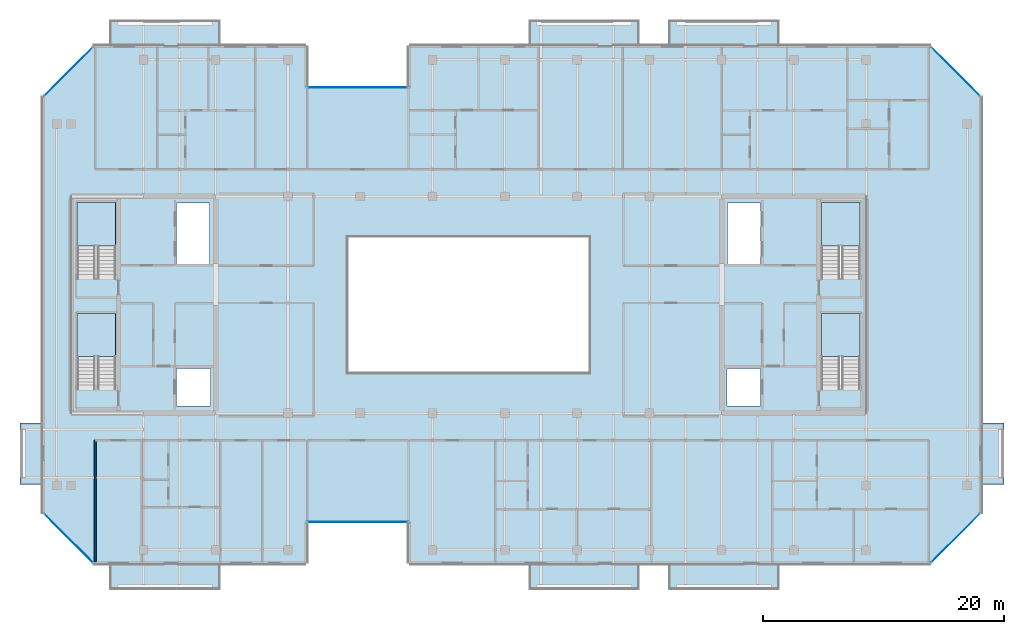
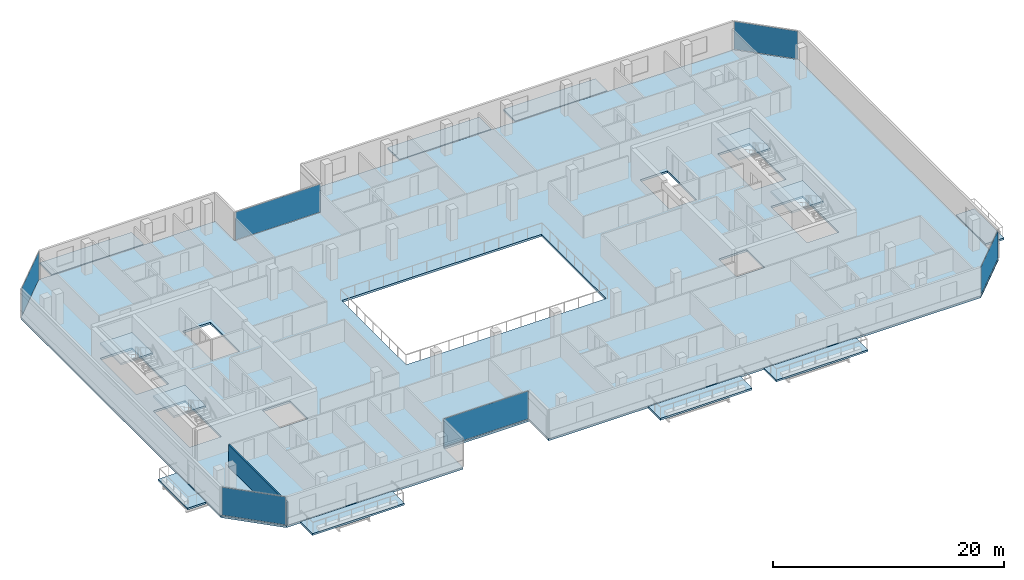
# One storey, part 17 of 28: 13 slabs, 6 plates, 1 wall, 10 elements without a shape of their own.
"""IFC4 building model written with IfcOpenShell, lengths in metres."""

from ifc_helpers import new_model, si_unit, direction, frame, frame_2d, origin, origin_2d, place, context, subcontext, project, spatial, polyline, rectangle, outline, extrude, material, layer, layer_set, type_object, element, aggregate, save


model = new_model("IFC4")

# Units and contexts
model_context = context("Model", 3, precision=1e-05, world=origin(), true_north=direction((0.0, 1.0)))
body_context = subcontext(model_context, "Body", "Model", "MODEL_VIEW")
ifc_project = project(units=[si_unit("LENGTHUNIT", "METRE"), si_unit("AREAUNIT", "SQUARE_METRE"), si_unit("VOLUMEUNIT", "CUBIC_METRE"), si_unit("PLANEANGLEUNIT", "RADIAN"), si_unit("MASSUNIT", "GRAM", prefix="KILO")], contexts=[model_context])

# Site, building, storey
site_placement = place(None, origin())
site = spatial("IfcSite", under=ifc_project, at=site_placement, CompositionType="ELEMENT")
building_placement = place(site_placement, origin())
building = spatial("IfcBuilding", under=site, at=building_placement, Name="Tanjung Sevakor Pilgrim Tower", CompositionType="ELEMENT")
storey_placement = place(building_placement, frame((0.0, 0.0, 222.75)))
storey = spatial("IfcBuildingStorey", under=building, at=storey_placement, Name="L62", CompositionType="ELEMENT", Elevation=222.75)

# Slabs
ifc_material_1 = material(Name="Concrete C40/50", Category="concrete")
ifc_layer_1 = layer(ifc_material_1, 0.199951171875)
ifc_layer_set_1 = layer_set([ifc_layer_1], Name="SL-BAL-200")
slab_type_1 = type_object("IfcSlabType", Name="SL-BAL-200", PredefinedType="FLOOR", material=ifc_layer_set_1)
slab_1_placement = place(storey_placement, frame((0.0, 0.0, -0.199951171875)))
element("IfcSlab", 1, at=slab_1_placement, inside=storey, type_object=slab_type_1, Name="L62 Planted Loggia Balcony MAIN-S1", PredefinedType="FLOOR", context=body_context, shape_type="SweptSolid", body=[
    extrude(outline(polyline([(27.199951171875, 9.949951171875), (36.39990234375, 9.949951171875), (36.39990234375, 12.050048828125), (27.199951171875, 12.050048828125), (27.199951171875, 9.949951171875)])), origin(), (0.0, 0.0, 1.0), 0.199951171875),
])
slab_2_placement = place(storey_placement, frame((0.0, 0.0, -0.199951171875)))
element("IfcSlab", 2, at=slab_2_placement, inside=storey, type_object=slab_type_1, Name="L62 Planted Loggia Balcony MAIN-N1", PredefinedType="FLOOR", context=body_context, shape_type="SweptSolid", body=[
    extrude(outline(polyline([(27.199951171875, 55.14990234375), (36.39990234375, 55.14990234375), (36.39990234375, 57.25), (27.199951171875, 57.25), (27.199951171875, 55.14990234375)])), origin(), (0.0, 0.0, 1.0), 0.199951171875),
])
slab_3_placement = place(storey_placement, frame((0.0, 0.0, -0.199951171875)))
element("IfcSlab", 3, at=slab_3_placement, inside=storey, type_object=slab_type_1, Name="L62 Planted Loggia Balcony MAIN-S2", PredefinedType="FLOOR", context=body_context, shape_type="SweptSolid", body=[
    extrude(outline(polyline([(62.0, 9.949951171875), (71.199951171875, 9.949951171875), (71.199951171875, 12.050048828125), (62.0, 12.050048828125), (62.0, 9.949951171875)])), origin(), (0.0, 0.0, 1.0), 0.199951171875),
])
slab_4_placement = place(storey_placement, frame((0.0, 0.0, -0.199951171875)))
element("IfcSlab", 4, at=slab_4_placement, inside=storey, type_object=slab_type_1, Name="L62 Planted Loggia Balcony MAIN-N2", PredefinedType="FLOOR", context=body_context, shape_type="SweptSolid", body=[
    extrude(outline(polyline([(62.0, 55.14990234375), (71.199951171875, 55.14990234375), (71.199951171875, 57.25), (62.0, 57.25), (62.0, 55.14990234375)])), origin(), (0.0, 0.0, 1.0), 0.199951171875),
])
slab_5_placement = place(storey_placement, frame((0.0, 0.0, -0.199951171875)))
element("IfcSlab", 5, at=slab_5_placement, inside=storey, type_object=slab_type_1, Name="L62 Planted Loggia Balcony MAIN-S3", PredefinedType="FLOOR", context=body_context, shape_type="SweptSolid", body=[
    extrude(outline(polyline([(73.60009765625, 9.949951171875), (82.800048828125, 9.949951171875), (82.800048828125, 12.050048828125), (73.60009765625, 12.050048828125), (73.60009765625, 9.949951171875)])), origin(), (0.0, 0.0, 1.0), 0.199951171875),
])
slab_6_placement = place(storey_placement, frame((0.0, 0.0, -0.199951171875)))
element("IfcSlab", 6, at=slab_6_placement, inside=storey, type_object=slab_type_1, Name="L62 Planted Loggia Balcony MAIN-N3", PredefinedType="FLOOR", context=body_context, shape_type="SweptSolid", body=[
    extrude(outline(polyline([(73.60009765625, 55.14990234375), (82.800048828125, 55.14990234375), (82.800048828125, 57.25), (73.60009765625, 57.25), (73.60009765625, 55.14990234375)])), origin(), (0.0, 0.0, 1.0), 0.199951171875),
])
slab_7_placement = place(storey_placement, frame((0.0, 0.0, -0.199951171875)))
element("IfcSlab", 7, at=slab_7_placement, inside=storey, type_object=slab_type_1, Name="L62 Planted Loggia Balcony MAIN-W1", PredefinedType="FLOOR", context=body_context, shape_type="SweptSolid", body=[
    extrude(outline(polyline([(19.75, 18.699951171875), (21.60009765625, 18.699951171875), (21.60009765625, 23.800048828125), (19.75, 23.800048828125), (19.75, 18.699951171875)])), origin(), (0.0, 0.0, 1.0), 0.199951171875),
])
slab_8_placement = place(storey_placement, frame((0.0, 0.0, -0.199951171875)))
element("IfcSlab", 8, at=slab_8_placement, inside=storey, type_object=slab_type_1, Name="L62 Planted Loggia Balcony MAIN-E1", PredefinedType="FLOOR", context=body_context, shape_type="SweptSolid", body=[
    extrude(outline(polyline([(99.60009765625, 18.699951171875), (101.449951171875, 18.699951171875), (101.449951171875, 23.800048828125), (99.60009765625, 23.800048828125), (99.60009765625, 18.699951171875)])), origin(), (0.0, 0.0, 1.0), 0.199951171875),
])

# Stair, slab
ifc_material_2 = material(Name="Concrete C40/50", Category="concrete")
stair_type = type_object("IfcStairType", Name="STAIR-ST-CR150", PredefinedType="HALF_TURN_STAIR", material=ifc_material_2)
stair_1_placement = place(storey_placement, origin())
stair_1 = element("IfcStair", 9, at=stair_1_placement, inside=storey, type_object=stair_type, Name="L62 West Core Exit Stair 1", PredefinedType="HALF_TURN_STAIR")
ifc_material_3 = material(Name="Concrete C40/50", Category="concrete")
ifc_layer_2 = layer(ifc_material_3, 0.199951171875)
ifc_layer_set_2 = layer_set([ifc_layer_2], Name="SL-LAND-200")
slab_type_2 = type_object("IfcSlabType", Name="SL-LAND-200", PredefinedType="LANDING", material=ifc_layer_set_2)
slab_9_placement = place(storey_placement, frame((0.0, 0.0, 1.449951171875)))
slab_9 = element("IfcSlab", 10, at=slab_9_placement, type_object=slab_type_2, Name="TS-W1 landing 1", PredefinedType="LANDING", context=body_context, shape_type="SweptSolid", body=[
    extrude(outline(polyline([(27.699951171875, 29.300048828125), (27.699951171875, 32.89990234375), (24.5, 32.89990234375), (24.5, 29.300048828125), (27.699951171875, 29.300048828125)])), origin(), (0.0, 0.0, 1.0), 0.199951171875),
])
aggregate(stair_1, [slab_9])

stair_2_placement = place(storey_placement, origin())
stair_2 = element("IfcStair", 11, at=stair_2_placement, inside=storey, type_object=stair_type, Name="L62 West Core Exit Stair 2", PredefinedType="HALF_TURN_STAIR")
slab_10_placement = place(storey_placement, frame((0.0, 0.0, 1.449951171875)))
slab_10 = element("IfcSlab", 12, at=slab_10_placement, type_object=slab_type_2, Name="TS-W2 landing 1", PredefinedType="LANDING", context=body_context, shape_type="SweptSolid", body=[
    extrude(outline(polyline([(27.699951171875, 38.5), (27.699951171875, 42.10009765625), (24.5, 42.10009765625), (24.5, 38.5), (27.699951171875, 38.5)])), origin(), (0.0, 0.0, 1.0), 0.199951171875),
])
aggregate(stair_2, [slab_10])

stair_3_placement = place(storey_placement, origin())
stair_3 = element("IfcStair", 13, at=stair_3_placement, inside=storey, type_object=stair_type, Name="L62 East Core Exit Stair 1", PredefinedType="HALF_TURN_STAIR")
slab_11_placement = place(storey_placement, frame((0.0, 0.0, 1.449951171875)))
slab_11 = element("IfcSlab", 14, at=slab_11_placement, type_object=slab_type_2, Name="TS-E1 landing 1", PredefinedType="LANDING", context=body_context, shape_type="SweptSolid", body=[
    extrude(outline(polyline([(89.5, 29.300048828125), (89.5, 32.89990234375), (86.300048828125, 32.89990234375), (86.300048828125, 29.300048828125), (89.5, 29.300048828125)])), origin(), (0.0, 0.0, 1.0), 0.199951171875),
])
aggregate(stair_3, [slab_11])

stair_4_placement = place(storey_placement, origin())
stair_4 = element("IfcStair", 15, at=stair_4_placement, inside=storey, type_object=stair_type, Name="L62 East Core Exit Stair 2", PredefinedType="HALF_TURN_STAIR")
slab_12_placement = place(storey_placement, frame((0.0, 0.0, 1.449951171875)))
slab_12 = element("IfcSlab", 16, at=slab_12_placement, type_object=slab_type_2, Name="TS-E2 landing 1", PredefinedType="LANDING", context=body_context, shape_type="SweptSolid", body=[
    extrude(outline(polyline([(89.5, 38.5), (89.5, 42.10009765625), (86.300048828125, 42.10009765625), (86.300048828125, 38.5), (89.5, 38.5)])), origin(), (0.0, 0.0, 1.0), 0.199951171875),
])
aggregate(stair_4, [slab_12])

# Slab
ifc_material_4 = material(Name="Concrete C40/50", Category="concrete")
ifc_layer_3 = layer(ifc_material_4, 0.219970703125)
ifc_layer_set_3 = layer_set([ifc_layer_3], Name="SL-TWR-220")
slab_type_3 = type_object("IfcSlabType", Name="SL-TWR-220", PredefinedType="FLOOR", material=ifc_layer_set_3)
slab_13_placement = place(storey_placement, frame((0.0, 0.0, -0.219970703125)))
element("IfcSlab", 17, at=slab_13_placement, inside=storey, type_object=slab_type_3, Name="L62 Floor Slab MAIN", PredefinedType="FLOOR", context=body_context, shape_type="SweptSolid", body=[
    extrude(outline(polyline([(25.846923828125, 12.1298828125), (43.52001953125, 12.1298828125), (43.52001953125, 15.530029296875), (52.080078125, 15.530029296875), (52.080078125, 12.1298828125), (95.35302734375, 12.1298828125), (99.52001953125, 16.296875), (99.52001953125, 50.903076171875), (95.35302734375, 55.070068359375), (52.080078125, 55.070068359375), (52.080078125, 51.669921875), (43.52001953125, 51.669921875), (43.52001953125, 55.070068359375), (25.846923828125, 55.070068359375), (21.679931640625, 50.903076171875), (21.679931640625, 16.296875), (25.846923828125, 12.1298828125)]), holes=[polyline([(27.699951171875, 26.60009765625), (27.699951171875, 32.89990234375), (24.5, 32.89990234375), (24.5, 26.60009765625), (27.699951171875, 26.60009765625)]), polyline([(27.699951171875, 35.800048828125), (27.699951171875, 42.10009765625), (24.5, 42.10009765625), (24.5, 35.800048828125), (27.699951171875, 35.800048828125)]), polyline([(89.5, 26.60009765625), (89.5, 32.89990234375), (86.300048828125, 32.89990234375), (86.300048828125, 26.60009765625), (89.5, 26.60009765625)]), polyline([(89.5, 35.800048828125), (89.5, 42.10009765625), (86.300048828125, 42.10009765625), (86.300048828125, 35.800048828125), (89.5, 35.800048828125)]), polyline([(32.75, 25.199951171875), (35.550048828125, 25.199951171875), (35.550048828125, 28.300048828125), (32.75, 28.300048828125), (32.75, 25.199951171875)]), polyline([(32.75, 37.0), (35.5, 37.0), (35.5, 42.050048828125), (32.75, 42.050048828125), (32.75, 37.0)]), polyline([(78.449951171875, 25.199951171875), (81.25, 25.199951171875), (81.25, 28.300048828125), (78.449951171875, 28.300048828125), (78.449951171875, 25.199951171875)]), polyline([(78.5, 37.0), (81.25, 37.0), (81.25, 42.050048828125), (78.5, 42.050048828125), (78.5, 37.0)]), polyline([(47.0, 28.0), (67.0, 28.0), (67.0, 39.199951171875), (47.0, 39.199951171875), (47.0, 28.0)])]), origin(), (0.0, 0.0, 1.0), 0.219970703125),
])

# Curtain wall, plate
ifc_material_5 = material(Name="Aluminium 6063-T6 and Low-E Glass", Category="aluminium")
ifc_layer_4 = layer(ifc_material_5, 0.179931640625)
ifc_layer_set_4 = layer_set([ifc_layer_4], Name="CW-SYS-CLEFT")
curtain_wall_type_1 = type_object("IfcCurtainWallType", Name="CW-SYS-CLEFT", PredefinedType="NOTDEFINED", material=ifc_layer_set_4)
curtain_wall_1_placement = place(storey_placement, origin())
curtain_wall_1 = element("IfcCurtainWall", 18, at=curtain_wall_1_placement, inside=storey, type_object=curtain_wall_type_1, Name="L62 Curtain Wall CW-CLF-L62-2", PredefinedType="NOTDEFINED")
ifc_material_6 = material(Name="Laminated Low-E Double Glazing", Category="glass")
ifc_layer_5 = layer(ifc_material_6, 0.028076171875)
ifc_layer_set_5 = layer_set([ifc_layer_5], Name="TYPE-CWP-GLZ1")
plate_type = type_object("IfcPlateType", Name="TYPE-CWP-GLZ1", PredefinedType="CURTAIN_PANEL", material=ifc_layer_set_5)
plate_1_placement = place(storey_placement, frame((47.800048828125, 15.56005859375, 0.06494140625), z_axis=(0.0, 0.0, 1.0), x_axis=(1.0, 0.0, 0.0)))
plate_1 = element("IfcPlate", 19, at=plate_1_placement, type_object=plate_type, Name="CW-CLF panel 1.1", PredefinedType="CURTAIN_PANEL", context=body_context, shape_type="SweptSolid", body=[
    extrude(rectangle(XDim=8.469970703125, YDim=0.028076171875, at=origin_2d()), origin(), (0.0, 0.0, 1.0), 2.949951171875),
])
aggregate(curtain_wall_1, [plate_1])

ifc_material_7 = material(Name="Aluminium 6063-T6 and Low-E Glass", Category="aluminium")
ifc_layer_6 = layer(ifc_material_7, 0.179931640625)
ifc_layer_set_6 = layer_set([ifc_layer_6], Name="CW-SYS-CHAM")
curtain_wall_type_2 = type_object("IfcCurtainWallType", Name="CW-SYS-CHAM", PredefinedType="NOTDEFINED", material=ifc_layer_set_6)
curtain_wall_2_placement = place(storey_placement, origin())
curtain_wall_2 = element("IfcCurtainWall", 20, at=curtain_wall_2_placement, inside=storey, type_object=curtain_wall_type_2, Name="L62 Curtain Wall CW-CHM-L62-MAIN-5", PredefinedType="NOTDEFINED")
plate_2_placement = place(storey_placement, frame((97.422119140625, 14.227783203125, 0.06494140625), z_axis=(0.0, 0.0, 1.0), x_axis=(0.707106781187, 0.707106781187, 0.0)))
plate_2 = element("IfcPlate", 21, at=plate_2_placement, type_object=plate_type, Name="CW-CHM panel 1.1", PredefinedType="CURTAIN_PANEL", context=body_context, shape_type="SweptSolid", body=[
    extrude(rectangle(XDim=5.718505859375, YDim=0.028076171875, at=origin_2d()), origin(), (0.0, 0.0, 1.0), 2.949951171875),
])
aggregate(curtain_wall_2, [plate_2])

curtain_wall_3_placement = place(storey_placement, origin())
curtain_wall_3 = element("IfcCurtainWall", 22, at=curtain_wall_3_placement, inside=storey, type_object=curtain_wall_type_2, Name="L62 Curtain Wall CW-CHM-L62-MAIN-7", PredefinedType="NOTDEFINED")
plate_3_placement = place(storey_placement, frame((97.422119140625, 52.97216796875, 0.06494140625), z_axis=(0.0, 0.0, 1.0), x_axis=(-0.707106781187, 0.707106781187, 0.0)))
plate_3 = element("IfcPlate", 23, at=plate_3_placement, type_object=plate_type, Name="CW-CHM panel 1.1", PredefinedType="CURTAIN_PANEL", context=body_context, shape_type="SweptSolid", body=[
    extrude(rectangle(XDim=5.718505859375, YDim=0.028076171875, at=origin_2d()), origin(), (0.0, 0.0, 1.0), 2.949951171875),
])
aggregate(curtain_wall_3, [plate_3])

curtain_wall_4_placement = place(storey_placement, origin())
curtain_wall_4 = element("IfcCurtainWall", 24, at=curtain_wall_4_placement, inside=storey, type_object=curtain_wall_type_1, Name="L62 Curtain Wall CW-CLF-L62-10", PredefinedType="NOTDEFINED")
plate_4_placement = place(storey_placement, frame((47.800048828125, 51.639892578125, 0.06494140625), z_axis=(0.0, 0.0, 1.0), x_axis=(-1.0, 0.0, 0.0)))
plate_4 = element("IfcPlate", 25, at=plate_4_placement, type_object=plate_type, Name="CW-CLF panel 1.1", PredefinedType="CURTAIN_PANEL", context=body_context, shape_type="SweptSolid", body=[
    extrude(rectangle(XDim=8.469970703125, YDim=0.028076171875, at=origin_2d()), origin(), (0.0, 0.0, 1.0), 2.949951171875),
])
aggregate(curtain_wall_4, [plate_4])

curtain_wall_5_placement = place(storey_placement, origin())
curtain_wall_5 = element("IfcCurtainWall", 26, at=curtain_wall_5_placement, inside=storey, type_object=curtain_wall_type_2, Name="L62 Curtain Wall CW-CHM-L62-MAIN-13", PredefinedType="NOTDEFINED")
plate_5_placement = place(storey_placement, frame((23.77783203125, 52.97216796875, 0.06494140625), z_axis=(0.0, 0.0, 1.0), x_axis=(-0.707106781187, -0.707106781187, 0.0)))
plate_5 = element("IfcPlate", 27, at=plate_5_placement, type_object=plate_type, Name="CW-CHM panel 1.1", PredefinedType="CURTAIN_PANEL", context=body_context, shape_type="SweptSolid", body=[
    extrude(rectangle(XDim=5.718505859375, YDim=0.028076171875, at=origin_2d()), origin(), (0.0, 0.0, 1.0), 2.949951171875),
])
aggregate(curtain_wall_5, [plate_5])

curtain_wall_6_placement = place(storey_placement, origin())
curtain_wall_6 = element("IfcCurtainWall", 28, at=curtain_wall_6_placement, inside=storey, type_object=curtain_wall_type_2, Name="L62 Curtain Wall CW-CHM-L62-MAIN-15", PredefinedType="NOTDEFINED")
plate_6_placement = place(storey_placement, frame((23.77783203125, 14.227783203125, 0.06494140625), z_axis=(0.0, 0.0, 1.0), x_axis=(0.707106781187, -0.707106781187, 0.0)))
plate_6 = element("IfcPlate", 29, at=plate_6_placement, type_object=plate_type, Name="CW-CHM panel 1.1", PredefinedType="CURTAIN_PANEL", context=body_context, shape_type="SweptSolid", body=[
    extrude(rectangle(XDim=5.718505859375, YDim=0.028076171875, at=origin_2d()), origin(), (0.0, 0.0, 1.0), 2.949951171875),
])
aggregate(curtain_wall_6, [plate_6])

# Wall
ifc_material_8 = material(Name="Concrete C40/50", Category="concrete")
ifc_layer_7 = layer(ifc_material_8, 0.14990234375)
ifc_layer_set_7 = layer_set([ifc_layer_7], Name="WT-COMP-150")
wall_type = type_object("IfcWallType", Name="WT-COMP-150", PredefinedType="SOLIDWALL", material=ifc_layer_set_7)
wall_placement = place(storey_placement, frame((26.0, 12.27001953125, 0.0), z_axis=(0.0, 0.0, 1.0), x_axis=(0.0, 1.0, 0.0)))
element("IfcWall", 30, at=wall_placement, inside=storey, type_object=wall_type, Name="L62 Partition IW-L62-037", PredefinedType="SOLIDWALL", context=body_context, shape_type="SweptSolid", body=[
    extrude(rectangle(XDim=10.080078125, YDim=0.14990234375, at=frame_2d((5.0400390625, 0.0))), origin(), (0.0, 0.0, 1.0), 2.35009765625),
])

save(model, "model.ifc")
